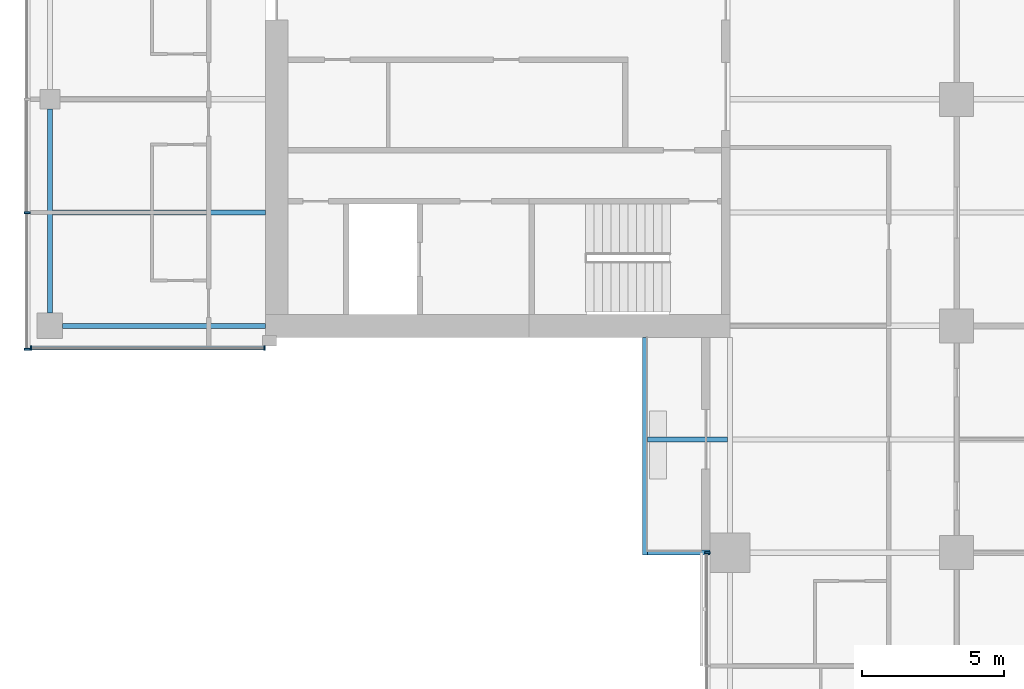
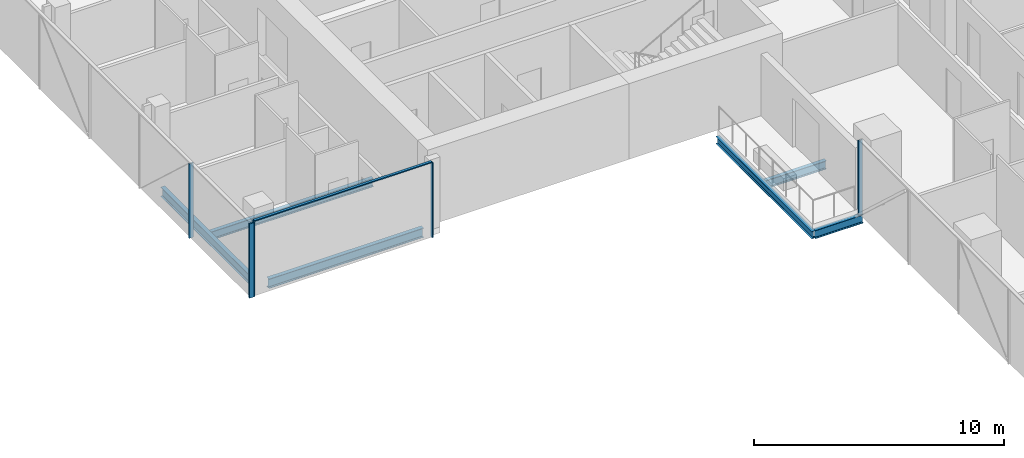
# One storey, part 3 of 27: 6 beams, 6 members, 3 elements without a shape of their own.
"""IFC4 building model written with IfcOpenShell, lengths in metres."""

from ifc_helpers import new_model, si_unit, direction, frame, origin, origin_2d, place, context, subcontext, project, spatial, rectangle, i_section, extrude, material, material_profile, profile_set, type_object, element, aggregate, save


model = new_model("IFC4")

# Units and contexts
model_context = context("Model", 3, precision=1e-05, world=origin(), true_north=direction((0.0, 1.0)))
body_context = subcontext(model_context, "Body", "Model", "MODEL_VIEW")
ifc_project = project(units=[si_unit("LENGTHUNIT", "METRE"), si_unit("AREAUNIT", "SQUARE_METRE"), si_unit("VOLUMEUNIT", "CUBIC_METRE"), si_unit("PLANEANGLEUNIT", "RADIAN"), si_unit("MASSUNIT", "GRAM", prefix="KILO")], contexts=[model_context])

# Site, building, storey
site_placement = place(None, origin())
site = spatial("IfcSite", under=ifc_project, at=site_placement, CompositionType="ELEMENT")
building_placement = place(site_placement, origin())
building = spatial("IfcBuilding", under=site, at=building_placement, Name="Crosswind Convention Tower", CompositionType="ELEMENT")
storey_placement = place(building_placement, frame((0.0, 0.0, 83.10009765625)))
storey = spatial("IfcBuildingStorey", under=building, at=storey_placement, Name="L15", CompositionType="ELEMENT", Elevation=83.10009765625)

# Beams
ifc_material_1 = material(Name="Steel S355", Category="steel")
ifc_material_profile_1 = material_profile(ifc_material_1, i_section(OverallWidth=0.177734375, OverallDepth=0.406494140625, WebThickness=0.0078125, FlangeThickness=0.0126953125, FilletRadius=0.01025390625, at=origin_2d()), Name="UB 406x178x60")
ifc_profile_set_1 = profile_set([ifc_material_profile_1], Name="Steel S355")
beam_type_1 = type_object("IfcBeamType", Name="Balcony cantilever UB 406x178x60", PredefinedType="BEAM", material=ifc_profile_set_1)
beam_1_placement = place(storey_placement, frame((112.90478515625, 84.0, -0.4833984375), z_axis=(-1.0, 0.0, 0.0), x_axis=(0.0, -1.0, 0.0)))
element("IfcBeam", 1, at=beam_1_placement, inside=storey, type_object=beam_type_1, Name="B35 L15 balcony cantilever SW 7", PredefinedType="BEAM", context=body_context, shape_type="SweptSolid", body=[
    extrude(i_section(OverallWidth=0.177734375, OverallDepth=0.406494140625, WebThickness=0.0078125, FlangeThickness=0.0126953125, FilletRadius=0.01025390625, at=origin_2d()), origin(), (0.0, 0.0, 1.0), 2.8193359375),
])
beam_2_placement = place(storey_placement, frame((112.300048828125, 80.0, -0.4833984375), z_axis=(-1.0, 0.0, 0.0), x_axis=(0.0, -1.0, 0.0)))
element("IfcBeam", 2, at=beam_2_placement, inside=storey, type_object=beam_type_1, Name="B35 L15 balcony cantilever SW 8", PredefinedType="BEAM", context=body_context, shape_type="SweptSolid", body=[
    extrude(i_section(OverallWidth=0.177734375, OverallDepth=0.406494140625, WebThickness=0.0078125, FlangeThickness=0.0126953125, FilletRadius=0.01025390625, at=origin_2d()), origin(), (0.0, 0.0, 1.0), 2.214599609375),
])
ifc_material_profile_2 = material_profile(ifc_material_1, i_section(OverallWidth=0.1708984375, OverallDepth=0.35205078125, WebThickness=0.0068359375, FlangeThickness=0.009765625, FilletRadius=0.01025390625, at=origin_2d()), Name="UB 356x171x45")
ifc_profile_set_2 = profile_set([ifc_material_profile_2], Name="Steel S355")
beam_type_2 = type_object("IfcBeamType", Name="Balcony edge beam UB 356x171x45", PredefinedType="BEAM", material=ifc_profile_set_2)
beam_3_placement = place(storey_placement, frame((110.0, 87.60009765625, -0.4560546875), z_axis=(0.0, -1.0, 0.0), x_axis=(1.0, 0.0, 0.0)))
element("IfcBeam", 3, at=beam_3_placement, inside=storey, type_object=beam_type_2, Name="B37 L15 balcony edge beam SW 9", PredefinedType="BEAM", context=body_context, shape_type="SweptSolid", body=[
    extrude(i_section(OverallWidth=0.1708984375, OverallDepth=0.35205078125, WebThickness=0.0068359375, FlangeThickness=0.009765625, FilletRadius=0.01025390625, at=origin_2d()), origin(), (0.0, 0.0, 1.0), 7.68896484375),
])
ifc_material_profile_3 = material_profile(ifc_material_1, i_section(OverallWidth=0.1904296875, OverallDepth=0.457275390625, WebThickness=0.009033203125, FlangeThickness=0.014404296875, FilletRadius=0.01025390625, at=origin_2d()), Name="UB 457x191x75")
ifc_profile_set_3 = profile_set([ifc_material_profile_3], Name="Steel S355")
beam_type_3 = type_object("IfcBeamType", Name="Edge beam UB 457x191x75", PredefinedType="SPANDREL", material=ifc_profile_set_3)
beam_4_placement = place(storey_placement, frame((89.0, 88.449951171875, -0.5087890625), z_axis=(0.0, 1.0, 0.0), x_axis=(-1.0, 0.0, 0.0)))
element("IfcBeam", 4, at=beam_4_placement, inside=storey, type_object=beam_type_3, Name="B17 L15 edge beam 1", PredefinedType="SPANDREL", context=body_context, shape_type="SweptSolid", body=[
    extrude(i_section(OverallWidth=0.1904296875, OverallDepth=0.457275390625, WebThickness=0.009033203125, FlangeThickness=0.014404296875, FilletRadius=0.01025390625, at=origin_2d()), origin(), (0.0, 0.0, 1.0), 7.199951171875),
])
beam_5_placement = place(storey_placement, frame((89.449951171875, 88.0, -0.5087890625), z_axis=(1.0, 0.0, 0.0), x_axis=(0.0, 1.0, 0.0)))
element("IfcBeam", 5, at=beam_5_placement, inside=storey, type_object=beam_type_3, Name="B17 L15 edge beam 4", PredefinedType="SPANDREL", context=body_context, shape_type="SweptSolid", body=[
    extrude(i_section(OverallWidth=0.1904296875, OverallDepth=0.457275390625, WebThickness=0.009033203125, FlangeThickness=0.014404296875, FilletRadius=0.01025390625, at=origin_2d()), origin(), (0.0, 0.0, 1.0), 7.150146484375),
])

# Curtain wall, members
ifc_material_2 = material(Name="Aluminium unitised curtain wall", Category="aluminium")
curtain_wall_type_1 = type_object("IfcCurtainWallType", Name="CORE END SLOT WALL 160", PredefinedType="USERDEFINED", material=ifc_material_2)
curtain_wall_1_placement = place(storey_placement, origin())
curtain_wall_1 = element("IfcCurtainWall", 6, at=curtain_wall_1_placement, inside=storey, type_object=curtain_wall_type_1, Name="CW6 L15 W-S.1-1 slot", ObjectType="UNITISED", PredefinedType="USERDEFINED")
ifc_material_3 = material(Name="Aluminium mullion", Category="aluminium")
ifc_material_profile_4 = material_profile(ifc_material_3, rectangle(XDim=0.159912109375, YDim=0.050048828125, at=origin_2d()), Name="AL 160X50")
ifc_profile_set_4 = profile_set([ifc_material_profile_4], Name="Aluminium mullion")
member_type_1 = type_object("IfcMemberType", Name="MULLION 50X160", PredefinedType="MULLION", material=ifc_profile_set_4)
member_1_placement = place(storey_placement, frame((88.324951171875, 87.219970703125, -0.280029296875), z_axis=(0.0, 0.0, 1.0), x_axis=(0.0, -1.0, 0.0)))
member_1 = element("IfcMember", 7, at=member_1_placement, type_object=member_type_1, Name="CW6 mullion 1", PredefinedType="MULLION", context=body_context, shape_type="SweptSolid", body=[
    extrude(rectangle(XDim=0.159912109375, YDim=0.050048828125, at=origin_2d()), origin(), (0.0, 0.0, 1.0), 3.64990234375),
])
member_2_placement = place(storey_placement, frame((96.574951171875, 87.219970703125, -0.280029296875), z_axis=(0.0, 0.0, 1.0), x_axis=(0.0, -1.0, 0.0)))
member_2 = element("IfcMember", 8, at=member_2_placement, type_object=member_type_1, Name="CW6 mullion 2", PredefinedType="MULLION", context=body_context, shape_type="SweptSolid", body=[
    extrude(rectangle(XDim=0.159912109375, YDim=0.050048828125, at=origin_2d()), origin(), (0.0, 0.0, 1.0), 3.64990234375),
])

curtain_wall_type_2 = type_object("IfcCurtainWallType", Name="HOTEL UNITISED WALL 200", PredefinedType="USERDEFINED", material=ifc_material_2)
curtain_wall_2_placement = place(storey_placement, origin())
curtain_wall_2 = element("IfcCurtainWall", 9, at=curtain_wall_2_placement, inside=storey, type_object=curtain_wall_type_2, Name="CW2 L15 W-TIP 1", ObjectType="UNITISED", PredefinedType="USERDEFINED")
ifc_material_profile_5 = material_profile(ifc_material_3, rectangle(XDim=0.199951171875, YDim=0.06494140625, at=origin_2d()), Name="AL 200X65")
ifc_profile_set_5 = profile_set([ifc_material_profile_5], Name="Aluminium mullion")
member_type_2 = type_object("IfcMemberType", Name="MULLION 65X200", PredefinedType="MULLION", material=ifc_profile_set_5)
member_3_placement = place(storey_placement, frame((88.199951171875, 92.0, -0.280029296875), z_axis=(0.0, 0.0, 1.0), x_axis=(-1.0, 0.0, 0.0)))
member_3 = element("IfcMember", 10, at=member_3_placement, type_object=member_type_2, Name="CW2 mullion 6", PredefinedType="MULLION", context=body_context, shape_type="SweptSolid", body=[
    extrude(rectangle(XDim=0.199951171875, YDim=0.06494140625, at=origin_2d()), origin(), (0.0, 0.0, 1.0), 3.635009765625),
])
member_4_placement = place(storey_placement, frame((88.199951171875, 87.172607421875, -0.280029296875), z_axis=(0.0, 0.0, 1.0), x_axis=(-1.0, 0.0, 0.0)))
member_4 = element("IfcMember", 11, at=member_4_placement, type_object=member_type_2, Name="CW2 mullion 7", PredefinedType="MULLION", context=body_context, shape_type="SweptSolid", body=[
    extrude(rectangle(XDim=0.199951171875, YDim=0.06494140625, at=origin_2d()), origin(), (0.0, 0.0, 1.0), 3.635009765625),
])
aggregate(curtain_wall_2, [member_3, member_4])

# Curtain wall, member
curtain_wall_3_placement = place(storey_placement, origin())
curtain_wall_3 = element("IfcCurtainWall", 12, at=curtain_wall_3_placement, inside=storey, type_object=curtain_wall_type_2, Name="CW2 L15 S-W 1", ObjectType="UNITISED", PredefinedType="USERDEFINED")
member_5_placement = place(storey_placement, frame((112.199951171875, 80.0, -0.280029296875), z_axis=(0.0, 0.0, 1.0), x_axis=(-1.0, 0.0, 0.0)))
member_5 = element("IfcMember", 13, at=member_5_placement, type_object=member_type_2, Name="CW2 mullion 1", PredefinedType="MULLION", context=body_context, shape_type="SweptSolid", body=[
    extrude(rectangle(XDim=0.199951171875, YDim=0.06494140625, at=origin_2d()), origin(), (0.0, 0.0, 1.0), 3.635009765625),
])
aggregate(curtain_wall_3, [member_5])

# Beam
ifc_material_profile_6 = material_profile(ifc_material_1, i_section(OverallWidth=0.177734375, OverallDepth=0.406494140625, WebThickness=0.0078125, FlangeThickness=0.0126953125, FilletRadius=0.01025390625, at=origin_2d()), Name="UB 406x178x60")
ifc_profile_set_6 = profile_set([ifc_material_profile_6], Name="Steel S355")
beam_type_4 = type_object("IfcBeamType", Name="Secondary beam UB 406x178x60", PredefinedType="JOIST", material=ifc_profile_set_6)
beam_6_placement = place(storey_placement, frame((89.09521484375, 92.0, -0.4833984375), z_axis=(1.0, 0.0, 0.0), x_axis=(0.0, 1.0, 0.0)))
element("IfcBeam", 14, at=beam_6_placement, inside=storey, type_object=beam_type_4, Name="B10 L15 secondary beam 1", PredefinedType="JOIST", context=body_context, shape_type="SweptSolid", body=[
    extrude(i_section(OverallWidth=0.177734375, OverallDepth=0.406494140625, WebThickness=0.0078125, FlangeThickness=0.0126953125, FilletRadius=0.01025390625, at=origin_2d()), origin(), (0.0, 0.0, 1.0), 7.5048828125),
])

# Member
ifc_material_4 = material(Name="Aluminium transom", Category="aluminium")
ifc_material_profile_7 = material_profile(ifc_material_4, rectangle(XDim=0.1201171875, YDim=0.050048828125, at=origin_2d()), Name="AL 120X50")
ifc_profile_set_7 = profile_set([ifc_material_profile_7], Name="Aluminium transom")
member_type_3 = type_object("IfcMemberType", Name="TRANSOM 50X120", PredefinedType="USERDEFINED", material=ifc_profile_set_7)
member_6_placement = place(storey_placement, frame((88.35009765625, 87.219970703125, 3.39501953125), z_axis=(1.0, 0.0, 0.0), x_axis=(0.0, 1.0, 0.0)))
member_6 = element("IfcMember", 15, at=member_6_placement, type_object=member_type_3, Name="CW6 transom", ObjectType="TRANSOM", PredefinedType="USERDEFINED", context=body_context, shape_type="SweptSolid", body=[
    extrude(rectangle(XDim=0.1201171875, YDim=0.050048828125, at=origin_2d()), origin(), (0.0, 0.0, 1.0), 8.199951171875),
])

aggregate(curtain_wall_1, [member_1, member_2, member_6])

save(model, "model.ifc")
